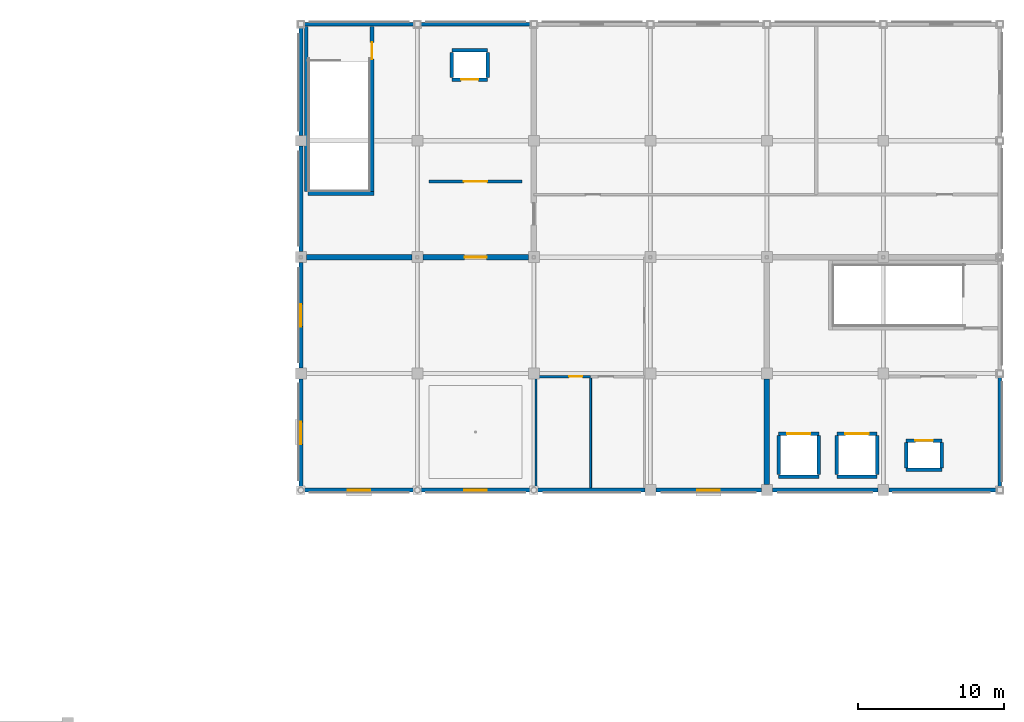
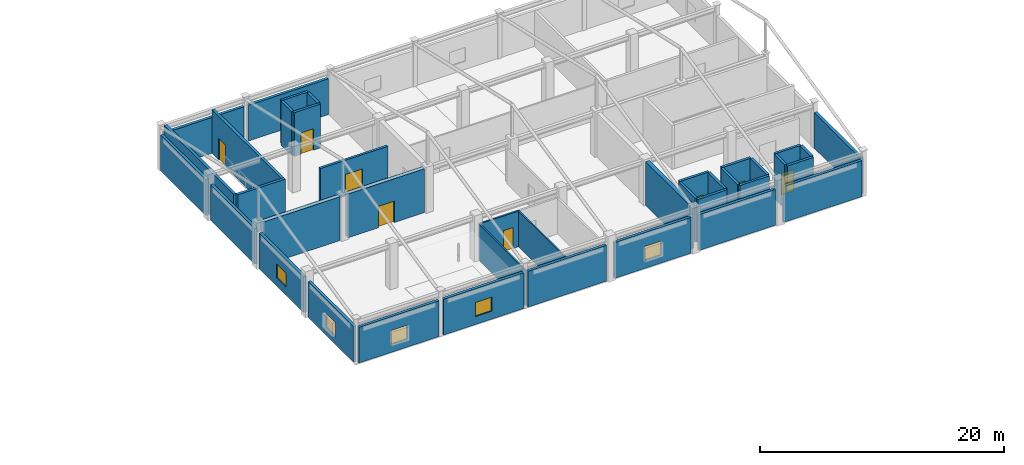
# One storey, part 12 of 16: 39 walls, 8 doors, 5 windows, 13 openings.
"""IFC4 building model written with IfcOpenShell, lengths in metres."""

from ifc_helpers import new_model, si_unit, direction, frame, frame_2d, origin, place, context, subcontext, project, spatial, rectangle, extrude, material, layer, layer_set, type_object, element, fill, save


model = new_model("IFC4")

# Units and contexts
model_context = context("Model", 3, precision=1e-05, world=origin(), true_north=direction((0.0, 1.0)))
body_context = subcontext(model_context, "Body", "Model", "MODEL_VIEW")
ifc_project = project(units=[si_unit("LENGTHUNIT", "METRE"), si_unit("AREAUNIT", "SQUARE_METRE"), si_unit("VOLUMEUNIT", "CUBIC_METRE"), si_unit("PLANEANGLEUNIT", "RADIAN"), si_unit("MASSUNIT", "GRAM", prefix="KILO")], contexts=[model_context])

# Site, building, storey
site_placement = place(None, origin())
site = spatial("IfcSite", under=ifc_project, at=site_placement, CompositionType="ELEMENT")
building_placement = place(site_placement, origin())
building = spatial("IfcBuilding", under=site, at=building_placement, Name="Solmirada Galleria", CompositionType="ELEMENT")
storey_placement = place(building_placement, frame((0.0, 0.0, 32.89990234375)))
storey = spatial("IfcBuildingStorey", under=building, at=storey_placement, Name="L07", CompositionType="ELEMENT", Elevation=32.89990234375)

# Wall
ifc_material_1 = material(Name="Concrete C40/50", Category="concrete")
ifc_layer_1 = layer(ifc_material_1, 0.3798828125)
ifc_layer_set_1 = layer_set([ifc_layer_1], Name="Concrete C40/50")
wall_type_1 = type_object("IfcWallType", Name="WL-CORE-380", PredefinedType="SHEAR", material=ifc_layer_set_1)
wall_1_placement = place(storey_placement, frame((128.375, 104.0, 0.0), z_axis=(0.0, 0.0, 1.0), x_axis=(1.0, 0.0, 0.0)))
element("IfcWall", 1, at=wall_1_placement, inside=storey, type_object=wall_type_1, Name="Core C3 shear wall L07 S1", PredefinedType="SHEAR", context=body_context, shape_type="SweptSolid", body=[
    extrude(rectangle(XDim=7.25, YDim=0.3798828125, at=frame_2d((3.625, 0.0))), origin(), (0.0, 0.0, 1.0), 4.380126953125),
])

# Wall, opening, door
wall_2_placement = place(storey_placement, frame((136.375, 104.0, 0.0), z_axis=(0.0, 0.0, 1.0), x_axis=(1.0, 0.0, 0.0)))
wall_2 = element("IfcWall", 2, at=wall_2_placement, inside=storey, type_object=wall_type_1, Name="Core C3 shear wall L07 S2", PredefinedType="SHEAR", context=body_context, shape_type="SweptSolid", body=[
    extrude(rectangle(XDim=7.25, YDim=0.3798828125, at=frame_2d((3.625, 0.0))), origin(), (0.0, 0.0, 1.0), 4.380126953125),
])
opening_1_placement = place(wall_2_placement, frame((2.875, 0.0, 0.0)))
opening_1 = element("IfcOpeningElement", 3, at=opening_1_placement, cuts=wall_2, Name="Opening LDY-202", PredefinedType="OPENING", context=body_context, shape_type="SweptSolid", body=[
    extrude(rectangle(XDim=1.5, YDim=2.14990234375, at=frame_2d((0.75, 1.074951171875))), frame((0.0, 0.199951171875, 0.0), z_axis=(0.0, -1.0, 0.0), x_axis=(1.0, 0.0, 0.0)), (0.0, 0.0, 1.0), 0.39990234375),
])
ifc_material_2 = material(Name="Fire-rated painted steel door assembly", Category="steel")
door_type_1 = type_object("IfcDoorType", Name="DR-LOBBY-150X215", OperationType="DOUBLE_DOOR_SINGLE_SWING", PredefinedType="DOOR", material=ifc_material_2)
door_1_placement = place(opening_1_placement, origin())
door_1 = element("IfcDoor", 4, at=door_1_placement, inside=storey, type_object=door_type_1, Name="Core C3 lobby access fire door LDY-202", OperationType="DOUBLE_DOOR_SINGLE_SWING", OverallHeight=2.14990234375, OverallWidth=1.5, PredefinedType="DOOR", context=body_context, shape_type="SweptSolid", body=[
    extrude(rectangle(XDim=1.5, YDim=2.14990234375, at=frame_2d((0.75, 1.074951171875))), frame((0.0, 0.02490234375, 0.0), z_axis=(0.0, -1.0, 0.0), x_axis=(1.0, 0.0, 0.0)), (0.0, 0.0, 1.0), 0.050048828125),
])
fill(opening_1, door_1)

# Wall
wall_3_placement = place(storey_placement, frame((160.0, 88.375, 0.0), z_axis=(0.0, 0.0, 1.0), x_axis=(0.0, 1.0, 0.0)))
element("IfcWall", 5, at=wall_3_placement, inside=storey, type_object=wall_type_1, Name="Core C4 shear wall L07 W1", PredefinedType="SHEAR", context=body_context, shape_type="SweptSolid", body=[
    extrude(rectangle(XDim=7.25, YDim=0.3798828125, at=frame_2d((3.625, 0.0))), origin(), (0.0, 0.0, 1.0), 4.380126953125),
])

# Wall, opening, window
ifc_material_3 = material(Name="Precast concrete C40/50", Category="concrete")
ifc_layer_2 = layer(ifc_material_3, 0.27001953125)
ifc_layer_set_2 = layer_set([ifc_layer_2], Name="Precast concrete C40/50")
wall_type_2 = type_object("IfcWallType", Name="WL-EXT-270", PredefinedType="STANDARD", material=ifc_layer_set_2)
wall_4_placement = place(storey_placement, frame((128.0, 88.202880859375, 0.0), z_axis=(0.0, 0.0, 1.0), x_axis=(0.0, 1.0, 0.0)))
wall_4 = element("IfcWall", 6, at=wall_4_placement, inside=storey, type_object=wall_type_2, Name="Exterior wall L07 bay 001", PredefinedType="STANDARD", context=body_context, shape_type="SweptSolid", body=[
    extrude(rectangle(XDim=7.422119140625, YDim=0.27001953125, at=frame_2d((3.7109375, 0.0))), origin(), (0.0, 0.0, 1.0), 3.580078125),
])
opening_2_placement = place(wall_4_placement, frame((2.93603515625, 0.0, 0.800048828125)))
opening_2 = element("IfcOpeningElement", 7, at=opening_2_placement, cuts=wall_4, Name="Opening WN14", PredefinedType="OPENING", context=body_context, shape_type="SweptSolid", body=[
    extrude(rectangle(XDim=1.550048828125, YDim=1.39990234375, at=frame_2d((0.77490234375, 0.699951171875))), frame((0.0, 0.14501953125, 0.0), z_axis=(0.0, -1.0, 0.0), x_axis=(1.0, 0.0, 0.0)), (0.0, 0.0, 1.0), 0.2900390625),
])
ifc_material_4 = material(Name="Impact-resistant low-E double glazing", Category="glass")
window_type = type_object("IfcWindowType", Name="WIN-OFF-155X140", PartitioningType="SINGLE_PANEL", PredefinedType="WINDOW", material=ifc_material_4)
window_1_placement = place(opening_2_placement, origin())
window_1 = element("IfcWindow", 8, at=window_1_placement, inside=storey, type_object=window_type, Name="Window L07-212", OverallHeight=1.39990234375, OverallWidth=1.550048828125, PartitioningType="SINGLE_PANEL", PredefinedType="WINDOW", context=body_context, shape_type="SweptSolid", body=[
    extrude(rectangle(XDim=1.550048828125, YDim=1.39990234375, at=frame_2d((0.77490234375, 0.699951171875))), frame((0.0, 0.030029296875, 0.0), z_axis=(0.0, -1.0, 0.0), x_axis=(1.0, 0.0, 0.0)), (0.0, 0.0, 1.0), 0.06005859375),
])
fill(opening_2, window_1)

wall_5_placement = place(storey_placement, frame((128.0, 96.375, 0.0), z_axis=(0.0, 0.0, 1.0), x_axis=(0.0, 1.0, 0.0)))
wall_5 = element("IfcWall", 9, at=wall_5_placement, inside=storey, type_object=wall_type_2, Name="Exterior wall L07 bay 002", PredefinedType="STANDARD", context=body_context, shape_type="SweptSolid", body=[
    extrude(rectangle(XDim=7.25, YDim=0.27001953125, at=frame_2d((3.625, 0.0))), origin(), (0.0, 0.0, 1.0), 3.580078125),
])
opening_3_placement = place(wall_5_placement, frame((2.85009765625, 0.0, 0.800048828125)))
opening_3 = element("IfcOpeningElement", 10, at=opening_3_placement, cuts=wall_5, Name="Opening WN14", PredefinedType="OPENING", context=body_context, shape_type="SweptSolid", body=[
    extrude(rectangle(XDim=1.550048828125, YDim=1.39990234375, at=frame_2d((0.77490234375, 0.699951171875))), frame((0.0, 0.14501953125, 0.0), z_axis=(0.0, -1.0, 0.0), x_axis=(1.0, 0.0, 0.0)), (0.0, 0.0, 1.0), 0.2900390625),
])
window_2_placement = place(opening_3_placement, origin())
window_2 = element("IfcWindow", 11, at=window_2_placement, inside=storey, type_object=window_type, Name="Window L07-213", OverallHeight=1.39990234375, OverallWidth=1.550048828125, PartitioningType="SINGLE_PANEL", PredefinedType="WINDOW", context=body_context, shape_type="SweptSolid", body=[
    extrude(rectangle(XDim=1.550048828125, YDim=1.39990234375, at=frame_2d((0.77490234375, 0.699951171875))), frame((0.0, 0.030029296875, 0.0), z_axis=(0.0, -1.0, 0.0), x_axis=(1.0, 0.0, 0.0)), (0.0, 0.0, 1.0), 0.06005859375),
])
fill(opening_3, window_2)

# Walls
wall_6_placement = place(storey_placement, frame((128.0, 104.375, 0.0), z_axis=(0.0, 0.0, 1.0), x_axis=(0.0, 1.0, 0.0)))
element("IfcWall", 12, at=wall_6_placement, inside=storey, type_object=wall_type_2, Name="Exterior wall L07 bay 003", PredefinedType="STANDARD", context=body_context, shape_type="SweptSolid", body=[
    extrude(rectangle(XDim=7.25, YDim=0.27001953125, at=frame_2d((3.625, 0.0))), origin(), (0.0, 0.0, 1.0), 3.580078125),
])
wall_7_placement = place(storey_placement, frame((128.0, 112.375, 0.0), z_axis=(0.0, 0.0, 1.0), x_axis=(0.0, 1.0, 0.0)))
element("IfcWall", 13, at=wall_7_placement, inside=storey, type_object=wall_type_2, Name="Exterior wall L07 bay 004", PredefinedType="STANDARD", context=body_context, shape_type="SweptSolid", body=[
    extrude(rectangle(XDim=7.422119140625, YDim=0.27001953125, at=frame_2d((3.7109375, 0.0))), origin(), (0.0, 0.0, 1.0), 3.580078125),
])
for number, where, z_axis, x_axis, name in (
    (14, (128.202880859375, 120.0, 0.0), (0.0, 0.0, 1.0), (1.0, 0.0, 0.0), "Exterior wall L07 bay 005"),
    (15, (136.202880859375, 120.0, 0.0), (0.0, 0.0, 1.0), (1.0, 0.0, 0.0), "Exterior wall L07 bay 006"),
    (16, (176.0, 95.797119140625, 0.0), (0.0, 0.0, 1.0), (0.0, -1.0, 0.0), "Exterior wall L07 bay 014"),
):
    element("IfcWall", number, at=place(storey_placement, frame(where, z_axis=z_axis, x_axis=x_axis)), inside=storey, type_object=wall_type_2, Name=name, PredefinedType="STANDARD", context=body_context, shape_type="SweptSolid", body=[
        extrude(rectangle(XDim=7.59423828125, YDim=0.27001953125, at=frame_2d((3.797119140625, 0.0))), origin(), (0.0, 0.0, 1.0), 3.580078125),
    ])
wall_8_placement = place(storey_placement, frame((175.797119140625, 88.0, 0.0), z_axis=(0.0, 0.0, 1.0), x_axis=(-1.0, 0.0, 0.0)))
element("IfcWall", 17, at=wall_8_placement, inside=storey, type_object=wall_type_2, Name="Exterior wall L07 bay 015", PredefinedType="STANDARD", context=body_context, shape_type="SweptSolid", body=[
    extrude(rectangle(XDim=7.422119140625, YDim=0.27001953125, at=frame_2d((3.7109375, 0.0))), origin(), (0.0, 0.0, 1.0), 3.580078125),
])
wall_9_placement = place(storey_placement, frame((167.625, 88.0, 0.0), z_axis=(0.0, 0.0, 1.0), x_axis=(-1.0, 0.0, 0.0)))
element("IfcWall", 18, at=wall_9_placement, inside=storey, type_object=wall_type_2, Name="Exterior wall L07 bay 016", PredefinedType="STANDARD", context=body_context, shape_type="SweptSolid", body=[
    extrude(rectangle(XDim=7.25, YDim=0.27001953125, at=frame_2d((3.625, 0.0))), origin(), (0.0, 0.0, 1.0), 3.580078125),
])

# Wall, opening, window
wall_10_placement = place(storey_placement, frame((159.625, 88.0, 0.0), z_axis=(0.0, 0.0, 1.0), x_axis=(-1.0, 0.0, 0.0)))
wall_10 = element("IfcWall", 19, at=wall_10_placement, inside=storey, type_object=wall_type_2, Name="Exterior wall L07 bay 017", PredefinedType="STANDARD", context=body_context, shape_type="SweptSolid", body=[
    extrude(rectangle(XDim=7.25, YDim=0.27001953125, at=frame_2d((3.625, 0.0))), origin(), (0.0, 0.0, 1.0), 3.580078125),
])
opening_4_placement = place(wall_10_placement, frame((2.85009765625, 0.0, 0.800048828125)))
opening_4 = element("IfcOpeningElement", 20, at=opening_4_placement, cuts=wall_10, Name="Opening WN14", PredefinedType="OPENING", context=body_context, shape_type="SweptSolid", body=[
    extrude(rectangle(XDim=1.550048828125, YDim=1.39990234375, at=frame_2d((0.77490234375, 0.699951171875))), frame((0.0, 0.14501953125, 0.0), z_axis=(0.0, -1.0, 0.0), x_axis=(1.0, 0.0, 0.0)), (0.0, 0.0, 1.0), 0.2900390625),
])
window_3_placement = place(opening_4_placement, origin())
window_3 = element("IfcWindow", 21, at=window_3_placement, inside=storey, type_object=window_type, Name="Window L07-218", OverallHeight=1.39990234375, OverallWidth=1.550048828125, PartitioningType="SINGLE_PANEL", PredefinedType="WINDOW", context=body_context, shape_type="SweptSolid", body=[
    extrude(rectangle(XDim=1.550048828125, YDim=1.39990234375, at=frame_2d((0.77490234375, 0.699951171875))), frame((0.0, 0.030029296875, 0.0), z_axis=(0.0, -1.0, 0.0), x_axis=(1.0, 0.0, 0.0)), (0.0, 0.0, 1.0), 0.06005859375),
])
fill(opening_4, window_3)

# Wall
wall_11_placement = place(storey_placement, frame((151.625, 88.0, 0.0), z_axis=(0.0, 0.0, 1.0), x_axis=(-1.0, 0.0, 0.0)))
element("IfcWall", 22, at=wall_11_placement, inside=storey, type_object=wall_type_2, Name="Exterior wall L07 bay 018", PredefinedType="STANDARD", context=body_context, shape_type="SweptSolid", body=[
    extrude(rectangle(XDim=7.422119140625, YDim=0.27001953125, at=frame_2d((3.7109375, 0.0))), origin(), (0.0, 0.0, 1.0), 3.580078125),
])

# Wall, opening, window
wall_12_placement = place(storey_placement, frame((143.797119140625, 88.0, 0.0), z_axis=(0.0, 0.0, 1.0), x_axis=(-1.0, 0.0, 0.0)))
wall_12 = element("IfcWall", 23, at=wall_12_placement, inside=storey, type_object=wall_type_2, Name="Exterior wall L07 bay 019", PredefinedType="STANDARD", context=body_context, shape_type="SweptSolid", body=[
    extrude(rectangle(XDim=7.59423828125, YDim=0.27001953125, at=frame_2d((3.797119140625, 0.0))), origin(), (0.0, 0.0, 1.0), 3.580078125),
])
opening_5_placement = place(wall_12_placement, frame((3.02197265625, 0.0, 0.800048828125)))
opening_5 = element("IfcOpeningElement", 24, at=opening_5_placement, cuts=wall_12, Name="Opening WN14", PredefinedType="OPENING", context=body_context, shape_type="SweptSolid", body=[
    extrude(rectangle(XDim=1.550048828125, YDim=1.39990234375, at=frame_2d((0.77490234375, 0.699951171875))), frame((0.0, 0.14501953125, 0.0), z_axis=(0.0, -1.0, 0.0), x_axis=(1.0, 0.0, 0.0)), (0.0, 0.0, 1.0), 0.2900390625),
])
window_4_placement = place(opening_5_placement, origin())
window_4 = element("IfcWindow", 25, at=window_4_placement, inside=storey, type_object=window_type, Name="Window L07-219", OverallHeight=1.39990234375, OverallWidth=1.550048828125, PartitioningType="SINGLE_PANEL", PredefinedType="WINDOW", context=body_context, shape_type="SweptSolid", body=[
    extrude(rectangle(XDim=1.550048828125, YDim=1.39990234375, at=frame_2d((0.77490234375, 0.699951171875))), frame((0.0, 0.030029296875, 0.0), z_axis=(0.0, -1.0, 0.0), x_axis=(1.0, 0.0, 0.0)), (0.0, 0.0, 1.0), 0.06005859375),
])
fill(opening_5, window_4)

wall_13_placement = place(storey_placement, frame((135.797119140625, 88.0, 0.0), z_axis=(0.0, 0.0, 1.0), x_axis=(-1.0, 0.0, 0.0)))
wall_13 = element("IfcWall", 26, at=wall_13_placement, inside=storey, type_object=wall_type_2, Name="Exterior wall L07 bay 020", PredefinedType="STANDARD", context=body_context, shape_type="SweptSolid", body=[
    extrude(rectangle(XDim=7.59423828125, YDim=0.27001953125, at=frame_2d((3.797119140625, 0.0))), origin(), (0.0, 0.0, 1.0), 3.580078125),
])
opening_6_placement = place(wall_13_placement, frame((3.02197265625, 0.0, 0.800048828125)))
opening_6 = element("IfcOpeningElement", 27, at=opening_6_placement, cuts=wall_13, Name="Opening WN14", PredefinedType="OPENING", context=body_context, shape_type="SweptSolid", body=[
    extrude(rectangle(XDim=1.550048828125, YDim=1.39990234375, at=frame_2d((0.77490234375, 0.699951171875))), frame((0.0, 0.14501953125, 0.0), z_axis=(0.0, -1.0, 0.0), x_axis=(1.0, 0.0, 0.0)), (0.0, 0.0, 1.0), 0.2900390625),
])
window_5_placement = place(opening_6_placement, origin())
window_5 = element("IfcWindow", 28, at=window_5_placement, inside=storey, type_object=window_type, Name="Window L07-220", OverallHeight=1.39990234375, OverallWidth=1.550048828125, PartitioningType="SINGLE_PANEL", PredefinedType="WINDOW", context=body_context, shape_type="SweptSolid", body=[
    extrude(rectangle(XDim=1.550048828125, YDim=1.39990234375, at=frame_2d((0.77490234375, 0.699951171875))), frame((0.0, 0.030029296875, 0.0), z_axis=(0.0, -1.0, 0.0), x_axis=(1.0, 0.0, 0.0)), (0.0, 0.0, 1.0), 0.06005859375),
])
fill(opening_6, window_5)

# Wall, opening, door
ifc_layer_3 = layer(ifc_material_1, 0.239990234375)
ifc_layer_set_3 = layer_set([ifc_layer_3], Name="Concrete C40/50")
wall_type_3 = type_object("IfcWallType", Name="WL-HOIST-240", PredefinedType="PARTITIONING", material=ifc_layer_set_3)
wall_14_placement = place(storey_placement, frame((138.3701171875, 116.195068359375, 0.0), z_axis=(0.0, 0.0, 1.0), x_axis=(1.0, 0.0, 0.0)))
wall_14 = element("IfcWall", 29, at=wall_14_placement, inside=storey, type_object=wall_type_3, Name="Lift FL1 hoistway front wall L07", PredefinedType="PARTITIONING", context=body_context, shape_type="SweptSolid", body=[
    extrude(rectangle(XDim=2.4599609375, YDim=0.239990234375, at=frame_2d((1.22998046875, 0.0))), origin(), (0.0, 0.0, 1.0), 4.380126953125),
])
opening_7_placement = place(wall_14_placement, frame((0.6298828125, 0.0, 0.0)))
opening_7 = element("IfcOpeningElement", 30, at=opening_7_placement, cuts=wall_14, Name="Opening LD-FL1-L07", PredefinedType="OPENING", context=body_context, shape_type="SweptSolid", body=[
    extrude(rectangle(XDim=1.199951171875, YDim=2.14990234375, at=frame_2d((0.60009765625, 1.074951171875))), frame((0.0, 0.1298828125, 0.0), z_axis=(0.0, -1.0, 0.0), x_axis=(1.0, 0.0, 0.0)), (0.0, 0.0, 1.0), 0.260009765625),
])
ifc_material_5 = material(Name="Brushed stainless-steel sliding landing door", Category="steel")
door_type_2 = type_object("IfcDoorType", Name="DR-LIFT-120X215", OperationType="SLIDING_TO_LEFT", PredefinedType="DOOR", material=ifc_material_5)
door_2_placement = place(opening_7_placement, origin())
door_2 = element("IfcDoor", 31, at=door_2_placement, inside=storey, type_object=door_type_2, Name="Lift FL1 sliding landing door L07", OperationType="SLIDING_TO_LEFT", OverallHeight=2.14990234375, OverallWidth=1.199951171875, PredefinedType="DOOR", context=body_context, shape_type="SweptSolid", body=[
    extrude(rectangle(XDim=1.199951171875, YDim=2.14990234375, at=frame_2d((0.60009765625, 1.074951171875))), frame((0.0, 0.02490234375, 0.0), z_axis=(0.0, -1.0, 0.0), x_axis=(1.0, 0.0, 0.0)), (0.0, 0.0, 1.0), 0.050048828125),
])
fill(opening_7, door_2)

# Walls
wall_15_placement = place(storey_placement, frame((138.3701171875, 118.205078125, 0.0), z_axis=(0.0, 0.0, 1.0), x_axis=(1.0, 0.0, 0.0)))
element("IfcWall", 32, at=wall_15_placement, inside=storey, type_object=wall_type_3, Name="Lift FL1 hoistway rear wall L07", PredefinedType="PARTITIONING", context=body_context, shape_type="SweptSolid", body=[
    extrude(rectangle(XDim=2.4599609375, YDim=0.239990234375, at=frame_2d((1.22998046875, 0.0))), origin(), (0.0, 0.0, 1.0), 4.380126953125),
])
for number, where, z_axis, x_axis, name in (
    (33, (138.3701171875, 116.3349609375, 0.0), (0.0, 0.0, 1.0), (0.0, 1.0, 0.0), "Lift FL1 hoistway side wall L L07"),
    (34, (140.830078125, 116.3349609375, 0.0), (0.0, 0.0, 1.0), (0.0, 1.0, 0.0), "Lift FL1 hoistway side wall R L07"),
):
    element("IfcWall", number, at=place(storey_placement, frame(where, z_axis=z_axis, x_axis=x_axis)), inside=storey, type_object=wall_type_3, Name=name, PredefinedType="PARTITIONING", context=body_context, shape_type="SweptSolid", body=[
        extrude(rectangle(XDim=1.72998046875, YDim=0.239990234375, at=frame_2d((0.864990234375, 0.0))), origin(), (0.0, 0.0, 1.0), 4.380126953125),
    ])

# Wall, opening, door
wall_16_placement = place(storey_placement, frame((169.570068359375, 91.405029296875, 0.0), z_axis=(0.0, 0.0, 1.0), x_axis=(1.0, 0.0, 0.0)))
wall_16 = element("IfcWall", 35, at=wall_16_placement, inside=storey, type_object=wall_type_3, Name="Lift FL2 hoistway front wall L07", PredefinedType="PARTITIONING", context=body_context, shape_type="SweptSolid", body=[
    extrude(rectangle(XDim=2.4599609375, YDim=0.239990234375, at=frame_2d((1.22998046875, 0.0))), origin(), (0.0, 0.0, 1.0), 4.380126953125),
])
opening_8_placement = place(wall_16_placement, frame((0.6298828125, 0.0, 0.0)))
opening_8 = element("IfcOpeningElement", 36, at=opening_8_placement, cuts=wall_16, Name="Opening LD-FL2-L07", PredefinedType="OPENING", context=body_context, shape_type="SweptSolid", body=[
    extrude(rectangle(XDim=1.199951171875, YDim=2.14990234375, at=frame_2d((0.60009765625, 1.074951171875))), frame((0.0, 0.1298828125, 0.0), z_axis=(0.0, -1.0, 0.0), x_axis=(1.0, 0.0, 0.0)), (0.0, 0.0, 1.0), 0.260009765625),
])
door_3_placement = place(opening_8_placement, origin())
door_3 = element("IfcDoor", 37, at=door_3_placement, inside=storey, type_object=door_type_2, Name="Lift FL2 sliding landing door L07", OperationType="SLIDING_TO_LEFT", OverallHeight=2.14990234375, OverallWidth=1.199951171875, PredefinedType="DOOR", context=body_context, shape_type="SweptSolid", body=[
    extrude(rectangle(XDim=1.199951171875, YDim=2.14990234375, at=frame_2d((0.60009765625, 1.074951171875))), frame((0.0, 0.02490234375, 0.0), z_axis=(0.0, -1.0, 0.0), x_axis=(1.0, 0.0, 0.0)), (0.0, 0.0, 1.0), 0.050048828125),
])
fill(opening_8, door_3)

# Walls
wall_17_placement = place(storey_placement, frame((169.570068359375, 89.39501953125, 0.0), z_axis=(0.0, 0.0, 1.0), x_axis=(1.0, 0.0, 0.0)))
element("IfcWall", 38, at=wall_17_placement, inside=storey, type_object=wall_type_3, Name="Lift FL2 hoistway rear wall L07", PredefinedType="PARTITIONING", context=body_context, shape_type="SweptSolid", body=[
    extrude(rectangle(XDim=2.4599609375, YDim=0.239990234375, at=frame_2d((1.22998046875, 0.0))), origin(), (0.0, 0.0, 1.0), 4.380126953125),
])
for number, where, z_axis, x_axis, name in (
    (39, (169.570068359375, 89.534912109375, 0.0), (0.0, 0.0, 1.0), (0.0, 1.0, 0.0), "Lift FL2 hoistway side wall L L07"),
    (40, (172.030029296875, 89.534912109375, 0.0), (0.0, 0.0, 1.0), (0.0, 1.0, 0.0), "Lift FL2 hoistway side wall R L07"),
):
    element("IfcWall", number, at=place(storey_placement, frame(where, z_axis=z_axis, x_axis=x_axis)), inside=storey, type_object=wall_type_3, Name=name, PredefinedType="PARTITIONING", context=body_context, shape_type="SweptSolid", body=[
        extrude(rectangle(XDim=1.72998046875, YDim=0.239990234375, at=frame_2d((0.864990234375, 0.0))), origin(), (0.0, 0.0, 1.0), 4.380126953125),
    ])

# Wall, opening, door
wall_18_placement = place(storey_placement, frame((164.820068359375, 91.8798828125, 0.0), z_axis=(0.0, 0.0, 1.0), x_axis=(1.0, 0.0, 0.0)))
wall_18 = element("IfcWall", 41, at=wall_18_placement, inside=storey, type_object=wall_type_3, Name="Lift GF1 hoistway front wall L07", PredefinedType="PARTITIONING", context=body_context, shape_type="SweptSolid", body=[
    extrude(rectangle(XDim=2.760009765625, YDim=0.239990234375, at=frame_2d((1.3798828125, 0.0))), origin(), (0.0, 0.0, 1.0), 4.380126953125),
])
opening_9_placement = place(wall_18_placement, frame((0.580078125, 0.0, 0.0)))
opening_9 = element("IfcOpeningElement", 42, at=opening_9_placement, cuts=wall_18, Name="Opening LD-GF1-L07", PredefinedType="OPENING", context=body_context, shape_type="SweptSolid", body=[
    extrude(rectangle(XDim=1.60009765625, YDim=2.300048828125, at=frame_2d((0.800048828125, 1.14990234375))), frame((0.0, 0.1298828125, 0.0), z_axis=(0.0, -1.0, 0.0), x_axis=(1.0, 0.0, 0.0)), (0.0, 0.0, 1.0), 0.260009765625),
])
door_type_3 = type_object("IfcDoorType", Name="DR-LIFT-160X230", OperationType="SLIDING_TO_LEFT", PredefinedType="DOOR", material=ifc_material_5)
door_4_placement = place(opening_9_placement, origin())
door_4 = element("IfcDoor", 43, at=door_4_placement, inside=storey, type_object=door_type_3, Name="Lift GF1 sliding landing door L07", OperationType="SLIDING_TO_LEFT", OverallHeight=2.300048828125, OverallWidth=1.60009765625, PredefinedType="DOOR", context=body_context, shape_type="SweptSolid", body=[
    extrude(rectangle(XDim=1.60009765625, YDim=2.300048828125, at=frame_2d((0.800048828125, 1.14990234375))), frame((0.0, 0.02490234375, 0.0), z_axis=(0.0, -1.0, 0.0), x_axis=(1.0, 0.0, 0.0)), (0.0, 0.0, 1.0), 0.050048828125),
])
fill(opening_9, door_4)

# Walls
wall_19_placement = place(storey_placement, frame((164.820068359375, 88.919921875, 0.0), z_axis=(0.0, 0.0, 1.0), x_axis=(1.0, 0.0, 0.0)))
element("IfcWall", 44, at=wall_19_placement, inside=storey, type_object=wall_type_3, Name="Lift GF1 hoistway rear wall L07", PredefinedType="PARTITIONING", context=body_context, shape_type="SweptSolid", body=[
    extrude(rectangle(XDim=2.760009765625, YDim=0.239990234375, at=frame_2d((1.3798828125, 0.0))), origin(), (0.0, 0.0, 1.0), 4.380126953125),
])
for number, where, z_axis, x_axis, name in (
    (45, (164.820068359375, 89.06005859375, 0.0), (0.0, 0.0, 1.0), (0.0, 1.0, 0.0), "Lift GF1 hoistway side wall L L07"),
    (46, (167.580078125, 89.06005859375, 0.0), (0.0, 0.0, 1.0), (0.0, 1.0, 0.0), "Lift GF1 hoistway side wall R L07"),
):
    element("IfcWall", number, at=place(storey_placement, frame(where, z_axis=z_axis, x_axis=x_axis)), inside=storey, type_object=wall_type_3, Name=name, PredefinedType="PARTITIONING", context=body_context, shape_type="SweptSolid", body=[
        extrude(rectangle(XDim=2.679931640625, YDim=0.239990234375, at=frame_2d((1.33984375, 0.0))), origin(), (0.0, 0.0, 1.0), 4.380126953125),
    ])

# Wall, opening, door
wall_20_placement = place(storey_placement, frame((160.820068359375, 91.8798828125, 0.0), z_axis=(0.0, 0.0, 1.0), x_axis=(1.0, 0.0, 0.0)))
wall_20 = element("IfcWall", 47, at=wall_20_placement, inside=storey, type_object=wall_type_3, Name="Lift GF2 hoistway front wall L07", PredefinedType="PARTITIONING", context=body_context, shape_type="SweptSolid", body=[
    extrude(rectangle(XDim=2.760009765625, YDim=0.239990234375, at=frame_2d((1.3798828125, 0.0))), origin(), (0.0, 0.0, 1.0), 4.380126953125),
])
opening_10_placement = place(wall_20_placement, frame((0.580078125, 0.0, 0.0)))
opening_10 = element("IfcOpeningElement", 48, at=opening_10_placement, cuts=wall_20, Name="Opening LD-GF2-L07", PredefinedType="OPENING", context=body_context, shape_type="SweptSolid", body=[
    extrude(rectangle(XDim=1.60009765625, YDim=2.300048828125, at=frame_2d((0.800048828125, 1.14990234375))), frame((0.0, 0.1298828125, 0.0), z_axis=(0.0, -1.0, 0.0), x_axis=(1.0, 0.0, 0.0)), (0.0, 0.0, 1.0), 0.260009765625),
])
door_5_placement = place(opening_10_placement, origin())
door_5 = element("IfcDoor", 49, at=door_5_placement, inside=storey, type_object=door_type_3, Name="Lift GF2 sliding landing door L07", OperationType="SLIDING_TO_LEFT", OverallHeight=2.300048828125, OverallWidth=1.60009765625, PredefinedType="DOOR", context=body_context, shape_type="SweptSolid", body=[
    extrude(rectangle(XDim=1.60009765625, YDim=2.300048828125, at=frame_2d((0.800048828125, 1.14990234375))), frame((0.0, 0.02490234375, 0.0), z_axis=(0.0, -1.0, 0.0), x_axis=(1.0, 0.0, 0.0)), (0.0, 0.0, 1.0), 0.050048828125),
])
fill(opening_10, door_5)

# Walls
wall_21_placement = place(storey_placement, frame((160.820068359375, 88.919921875, 0.0), z_axis=(0.0, 0.0, 1.0), x_axis=(1.0, 0.0, 0.0)))
element("IfcWall", 50, at=wall_21_placement, inside=storey, type_object=wall_type_3, Name="Lift GF2 hoistway rear wall L07", PredefinedType="PARTITIONING", context=body_context, shape_type="SweptSolid", body=[
    extrude(rectangle(XDim=2.760009765625, YDim=0.239990234375, at=frame_2d((1.3798828125, 0.0))), origin(), (0.0, 0.0, 1.0), 4.380126953125),
])
for number, where, z_axis, x_axis, name in (
    (51, (160.820068359375, 89.06005859375, 0.0), (0.0, 0.0, 1.0), (0.0, 1.0, 0.0), "Lift GF2 hoistway side wall L L07"),
    (52, (163.580078125, 89.06005859375, 0.0), (0.0, 0.0, 1.0), (0.0, 1.0, 0.0), "Lift GF2 hoistway side wall R L07"),
):
    element("IfcWall", number, at=place(storey_placement, frame(where, z_axis=z_axis, x_axis=x_axis)), inside=storey, type_object=wall_type_3, Name=name, PredefinedType="PARTITIONING", context=body_context, shape_type="SweptSolid", body=[
        extrude(rectangle(XDim=2.679931640625, YDim=0.239990234375, at=frame_2d((1.33984375, 0.0))), origin(), (0.0, 0.0, 1.0), 4.380126953125),
    ])
ifc_material_6 = material(Name="Acoustic gypsum board partition")
ifc_layer_4 = layer(ifc_material_6, 0.135009765625)
ifc_layer_set_4 = layer_set([ifc_layer_4], Name="Acoustic gypsum board partition")
wall_type_4 = type_object("IfcWallType", Name="WL-PART-135", PredefinedType="PARTITIONING", material=ifc_layer_set_4)
for number, where, z_axis, x_axis, name in (
    (53, (144.14990234375, 88.14990234375, 0.0), (0.0, 0.0, 1.0), (0.0, 1.0, 0.0), "Partition L07-175 (Staff WC West L07)"),
    (54, (147.89990234375, 88.14990234375, 0.0), (0.0, 0.0, 1.0), (0.0, 1.0, 0.0), "Partition L07-176 (Staff WC Divider L07)"),
):
    element("IfcWall", number, at=place(storey_placement, frame(where, z_axis=z_axis, x_axis=x_axis)), inside=storey, type_object=wall_type_4, Name=name, PredefinedType="PARTITIONING", context=body_context, shape_type="SweptSolid", body=[
        extrude(rectangle(XDim=7.650146484375, YDim=0.135009765625, at=frame_2d((3.8251953125, 0.0))), origin(), (0.0, 0.0, 1.0), 3.580078125),
    ])

# Wall, opening, door
ifc_layer_5 = layer(ifc_material_6, 0.159912109375)
ifc_layer_set_5 = layer_set([ifc_layer_5], Name="Acoustic gypsum board partition")
wall_type_5 = type_object("IfcWallType", Name="WL-PART-160", PredefinedType="PARTITIONING", material=ifc_layer_set_5)
wall_22_placement = place(storey_placement, frame((144.14990234375, 95.800048828125, 0.0), z_axis=(0.0, 0.0, 1.0), x_axis=(1.0, 0.0, 0.0)))
wall_22 = element("IfcWall", 55, at=wall_22_placement, inside=storey, type_object=wall_type_5, Name="Partition L07-173 (Staff Restroom L07)", PredefinedType="PARTITIONING", context=body_context, shape_type="SweptSolid", body=[
    extrude(rectangle(XDim=3.75, YDim=0.159912109375, at=frame_2d((1.875, 0.0))), origin(), (0.0, 0.0, 1.0), 3.580078125),
])
opening_11_placement = place(wall_22_placement, frame((2.26708984375, 0.0, 0.0)))
opening_11 = element("IfcOpeningElement", 56, at=opening_11_placement, cuts=wall_22, Name="Opening ID-380", PredefinedType="OPENING", context=body_context, shape_type="SweptSolid", body=[
    extrude(rectangle(XDim=0.919921875, YDim=2.10009765625, at=frame_2d((0.4599609375, 1.050048828125))), frame((0.0, 0.08984375, 0.0), z_axis=(0.0, -1.0, 0.0), x_axis=(1.0, 0.0, 0.0)), (0.0, 0.0, 1.0), 0.179931640625),
])
ifc_material_7 = material(Name="Architectural hardwood veneer door", Category="wood")
door_type_4 = type_object("IfcDoorType", Name="DR-WC-092X210", OperationType="NOTDEFINED", PredefinedType="DOOR", material=ifc_material_7)
door_6_placement = place(opening_11_placement, origin())
door_6 = element("IfcDoor", 57, at=door_6_placement, inside=storey, type_object=door_type_4, Name="Staff Restroom L07 door ID-380", OperationType="SINGLE_SWING_LEFT", OverallHeight=2.10009765625, OverallWidth=0.919921875, PredefinedType="DOOR", context=body_context, shape_type="SweptSolid", body=[
    extrude(rectangle(XDim=0.919921875, YDim=2.10009765625, at=frame_2d((0.4599609375, 1.050048828125))), frame((0.0, 0.02490234375, 0.0), z_axis=(0.0, -1.0, 0.0), x_axis=(1.0, 0.0, 0.0)), (0.0, 0.0, 1.0), 0.050048828125),
])
fill(opening_11, door_6)

ifc_material_8 = material(Name="Fire-rated gypsum and steel-stud partition", Category="steel")
ifc_layer_6 = layer(ifc_material_8, 0.219970703125)
ifc_layer_set_6 = layer_set([ifc_layer_6], Name="Fire-rated gypsum and steel-stud partition")
wall_type_6 = type_object("IfcWallType", Name="WL-PART-220", PredefinedType="PARTITIONING", material=ifc_layer_set_6)
wall_23_placement = place(storey_placement, frame((136.800048828125, 109.199951171875, 0.0), z_axis=(0.0, 0.0, 1.0), x_axis=(1.0, 0.0, 0.0)))
wall_23 = element("IfcWall", 58, at=wall_23_placement, inside=storey, type_object=wall_type_6, Name="Firefighting lift lobby C3 smoke barrier L07", PredefinedType="PARTITIONING", context=body_context, shape_type="SweptSolid", body=[
    extrude(rectangle(XDim=6.39990234375, YDim=0.219970703125, at=frame_2d((3.199951171875, 0.0))), origin(), (0.0, 0.0, 1.0), 3.580078125),
])
opening_12_placement = place(wall_23_placement, frame((2.39990234375, 0.0, 0.0)))
opening_12 = element("IfcOpeningElement", 59, at=opening_12_placement, cuts=wall_23, Name="Opening FD-204", PredefinedType="OPENING", context=body_context, shape_type="SweptSolid", body=[
    extrude(rectangle(XDim=1.60009765625, YDim=2.14990234375, at=frame_2d((0.800048828125, 1.074951171875))), frame((0.0, 0.119873046875, 0.0), z_axis=(0.0, -1.0, 0.0), x_axis=(1.0, 0.0, 0.0)), (0.0, 0.0, 1.0), 0.239990234375),
])
door_type_5 = type_object("IfcDoorType", Name="DR-FFLOB-160X215", OperationType="DOUBLE_DOOR_SINGLE_SWING", PredefinedType="DOOR", material=ifc_material_2)
door_7_placement = place(opening_12_placement, origin())
door_7 = element("IfcDoor", 60, at=door_7_placement, inside=storey, type_object=door_type_5, Name="Firefighting lift lobby internal door FD-204", OperationType="DOUBLE_DOOR_SINGLE_SWING", OverallHeight=2.14990234375, OverallWidth=1.60009765625, PredefinedType="DOOR", context=body_context, shape_type="SweptSolid", body=[
    extrude(rectangle(XDim=1.60009765625, YDim=2.14990234375, at=frame_2d((0.800048828125, 1.074951171875))), frame((0.0, 0.02490234375, 0.0), z_axis=(0.0, -1.0, 0.0), x_axis=(1.0, 0.0, 0.0)), (0.0, 0.0, 1.0), 0.050048828125),
])
fill(opening_12, door_7)

# Walls
ifc_layer_7 = layer(ifc_material_1, 0.260009765625)
ifc_layer_set_7 = layer_set([ifc_layer_7], Name="Concrete C40/50")
wall_type_7 = type_object("IfcWallType", Name="WL-SHAFT-260", PredefinedType="SHEAR", material=ifc_layer_set_7)
wall_24_placement = place(storey_placement, frame((128.5, 108.3701171875, 0.0), z_axis=(0.0, 0.0, 1.0), x_axis=(1.0, 0.0, 0.0)))
element("IfcWall", 61, at=wall_24_placement, inside=storey, type_object=wall_type_7, Name="Stair ST3 enclosure wall L07 S", PredefinedType="SHEAR", context=body_context, shape_type="SweptSolid", body=[
    extrude(rectangle(XDim=4.510009765625, YDim=0.260009765625, at=frame_2d((2.2548828125, 0.0))), origin(), (0.0, 0.0, 1.0), 4.380126953125),
])
wall_25_placement = place(storey_placement, frame((128.3701171875, 108.5, 0.0), z_axis=(0.0, 0.0, 1.0), x_axis=(0.0, 1.0, 0.0)))
element("IfcWall", 62, at=wall_25_placement, inside=storey, type_object=wall_type_7, Name="Stair ST3 enclosure wall L07 W", PredefinedType="SHEAR", context=body_context, shape_type="SweptSolid", body=[
    extrude(rectangle(XDim=11.35498046875, YDim=0.260009765625, at=frame_2d((5.677490234375, 0.0))), origin(), (0.0, 0.0, 1.0), 4.380126953125),
])

# Wall, opening, door
wall_26_placement = place(storey_placement, frame((132.8798828125, 108.5, 0.0), z_axis=(0.0, 0.0, 1.0), x_axis=(0.0, 1.0, 0.0)))
wall_26 = element("IfcWall", 63, at=wall_26_placement, inside=storey, type_object=wall_type_7, Name="Stair ST3 enclosure wall L07 E", PredefinedType="SHEAR", context=body_context, shape_type="SweptSolid", body=[
    extrude(rectangle(XDim=11.35498046875, YDim=0.260009765625, at=frame_2d((5.677490234375, 0.0))), origin(), (0.0, 0.0, 1.0), 4.380126953125),
])
opening_13_placement = place(wall_26_placement, frame((9.10009765625, 0.0, 0.0)))
opening_13 = element("IfcOpeningElement", 64, at=opening_13_placement, cuts=wall_26, Name="Opening SD-201", PredefinedType="OPENING", context=body_context, shape_type="SweptSolid", body=[
    extrude(rectangle(XDim=1.14990234375, YDim=2.14990234375, at=frame_2d((0.574951171875, 1.074951171875))), frame((0.0, 0.139892578125, 0.0), z_axis=(0.0, -1.0, 0.0), x_axis=(1.0, 0.0, 0.0)), (0.0, 0.0, 1.0), 0.280029296875),
])
door_type_6 = type_object("IfcDoorType", Name="DR-STAIR-115X215", OperationType="NOTDEFINED", PredefinedType="DOOR", material=ifc_material_2)
door_8_placement = place(opening_13_placement, origin())
door_8 = element("IfcDoor", 65, at=door_8_placement, inside=storey, type_object=door_type_6, Name="Exit stair ST3 enclosure fire door SD-201", OperationType="SINGLE_SWING_LEFT", OverallHeight=2.14990234375, OverallWidth=1.14990234375, PredefinedType="DOOR", context=body_context, shape_type="SweptSolid", body=[
    extrude(rectangle(XDim=1.14990234375, YDim=2.14990234375, at=frame_2d((0.574951171875, 1.074951171875))), frame((0.0, 0.02490234375, 0.0), z_axis=(0.0, -1.0, 0.0), x_axis=(1.0, 0.0, 0.0)), (0.0, 0.0, 1.0), 0.050048828125),
])
fill(opening_13, door_8)

save(model, "model.ifc")
